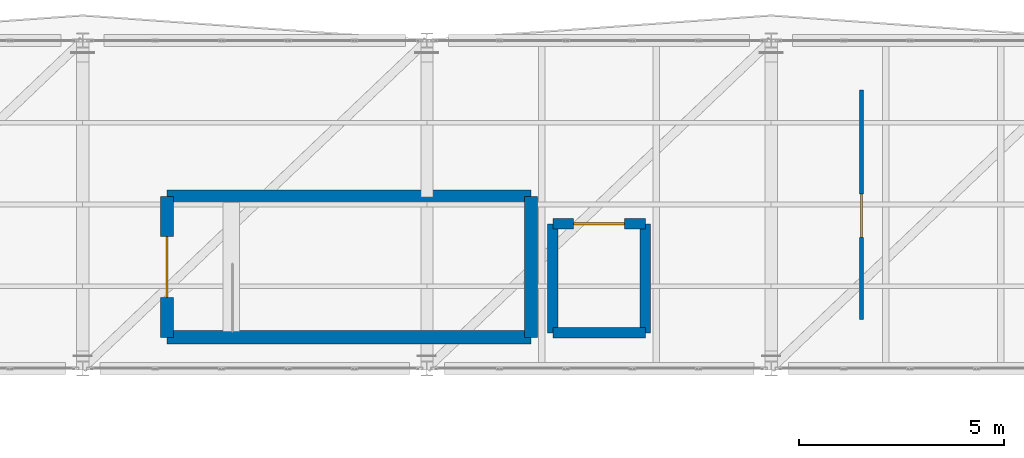
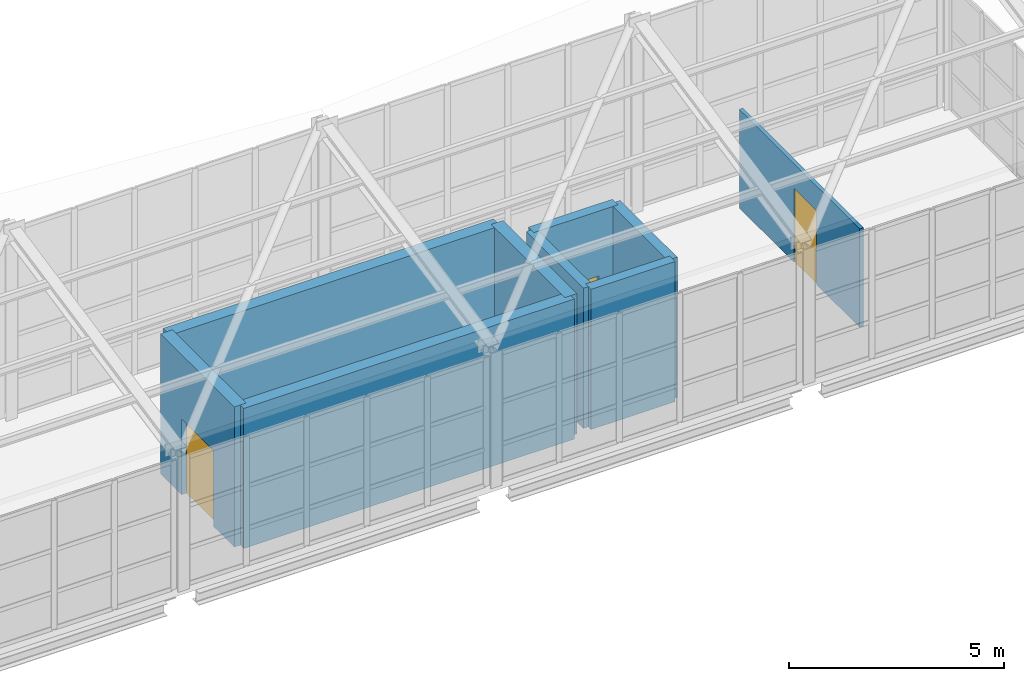
# One storey, part 155 of 177: 9 walls, 3 doors, 3 openings.
"""IFC4 building model written with IfcOpenShell, lengths in metres."""

from ifc_helpers import new_model, si_unit, direction, frame, frame_2d, origin, place, context, subcontext, project, spatial, rectangle, extrude, material, layer, layer_set, type_object, element, fill, save


model = new_model("IFC4")

# Units and contexts
model_context = context("Model", 3, precision=1e-05, world=origin(), true_north=direction((0.0, 1.0)))
body_context = subcontext(model_context, "Body", "Model", "MODEL_VIEW")
ifc_project = project(units=[si_unit("LENGTHUNIT", "METRE"), si_unit("AREAUNIT", "SQUARE_METRE"), si_unit("VOLUMEUNIT", "CUBIC_METRE"), si_unit("PLANEANGLEUNIT", "RADIAN"), si_unit("MASSUNIT", "GRAM", prefix="KILO"), si_unit("THERMODYNAMICTEMPERATUREUNIT", "KELVIN"), si_unit("POWERUNIT", "WATT")], contexts=[model_context])

# Site, building, storey
site_placement = place(None, origin())
site = spatial("IfcSite", under=ifc_project, at=site_placement, CompositionType="ELEMENT")
building_placement = place(site_placement, origin())
building = spatial("IfcBuilding", under=site, at=building_placement, Name="Mavoryth Pier Ferry Terminal", CompositionType="ELEMENT")
storey_placement = place(building_placement, frame((0.0, 0.0, 5.43994140625)))
storey = spatial("IfcBuildingStorey", under=building, at=storey_placement, Name="L01", CompositionType="ELEMENT", Elevation=5.43994140625)

# Walls
ifc_material_1 = material(Name="Concrete C35/45", Category="concrete")
ifc_layer_1 = layer(ifc_material_1, 0.260009765625, Name="Concrete C35/45", Category="concrete")
ifc_layer_set_1 = layer_set([ifc_layer_1], Name="Concrete C35/45 - CoreWall-LiftShaft-RC260")
wall_type_1 = type_object("IfcWallType", Name="CoreWall-LiftShaft-RC260", PredefinedType="SHEAR", material=ifc_layer_set_1)
wall_1_placement = place(storey_placement, frame((137.469970703125, 106.8701171875, 0.0), z_axis=(0.0, 0.0, 1.0), x_axis=(1.0, 0.0, 0.0)))
element("IfcWall", 1, at=wall_1_placement, inside=storey, type_object=wall_type_1, Name="Interior Wall IW-L01-0129", PredefinedType="SHEAR", context=body_context, shape_type="SweptSolid", body=[
    extrude(rectangle(XDim=2.260009765625, YDim=0.260009765625, at=frame_2d((1.1298828125, 0.0))), origin(), (0.0, 0.0, 1.0), 3.97998046875),
])
for number, where, z_axis, x_axis, name in (
    (2, (139.72998046875, 106.8701171875, 0.0), (0.0, 0.0, 1.0), (0.0, 1.0, 0.0), "Interior Wall IW-L01-0130"),
    (3, (137.469970703125, 109.530029296875, 0.0), (0.0, 0.0, 1.0), (0.0, -1.0, 0.0), "Interior Wall IW-L01-0131"),
):
    element("IfcWall", number, at=place(storey_placement, frame(where, z_axis=z_axis, x_axis=x_axis)), inside=storey, type_object=wall_type_1, Name=name, PredefinedType="SHEAR", context=body_context, shape_type="SweptSolid", body=[
        extrude(rectangle(XDim=2.659912109375, YDim=0.260009765625, at=frame_2d((1.330078125, 0.0))), origin(), (0.0, 0.0, 1.0), 3.97998046875),
    ])

# Wall, opening, door
wall_2_placement = place(storey_placement, frame((137.469970703125, 109.530029296875, 0.0), z_axis=(0.0, 0.0, 1.0), x_axis=(1.0, 0.0, 0.0)))
wall_2 = element("IfcWall", 4, at=wall_2_placement, inside=storey, type_object=wall_type_1, Name="Interior Wall IW-L01-0132", PredefinedType="SHEAR", context=body_context, shape_type="SweptSolid", body=[
    extrude(rectangle(XDim=2.260009765625, YDim=0.260009765625, at=frame_2d((1.1298828125, 0.0))), origin(), (0.0, 0.0, 1.0), 3.97998046875),
])
opening_1_placement = place(wall_2_placement, frame((0.510009765625, 0.0, 0.0)))
opening_1 = element("IfcOpeningElement", 5, at=opening_1_placement, cuts=wall_2, Name="Opening LD01", PredefinedType="OPENING", context=body_context, shape_type="SweptSolid", body=[
    extrude(rectangle(XDim=1.239990234375, YDim=2.139892578125, at=frame_2d((0.6201171875, 1.06982421875))), frame((0.0, 0.139892578125, 0.0), z_axis=(0.0, -1.0, 0.0), x_axis=(1.0, 0.0, 0.0)), (0.0, 0.0, 1.0), 0.280029296875),
])
ifc_material_2 = material(Name="Brushed Stainless Steel Lift Landing Door", Category="steel")
door_type_1 = type_object("IfcDoorType", Name="Door-LiftLanding-1240x2140", OperationType="NOTDEFINED", PredefinedType="DOOR", material=ifc_material_2)
door_1_placement = place(opening_1_placement, origin())
door_1 = element("IfcDoor", 6, at=door_1_placement, inside=storey, type_object=door_type_1, Name="Lift LF07 Landing Door L01", OperationType="DOUBLE_DOOR_SLIDING", OverallHeight=2.139892578125, OverallWidth=1.239990234375, PredefinedType="DOOR", context=body_context, shape_type="SweptSolid", body=[
    extrude(rectangle(XDim=1.239990234375, YDim=2.139892578125, at=frame_2d((0.6201171875, 1.06982421875))), frame((0.0, 0.02490234375, 0.0), z_axis=(0.0, -1.0, 0.0), x_axis=(1.0, 0.0, 0.0)), (0.0, 0.0, 1.0), 0.050048828125),
])
fill(opening_1, door_1)

# Walls
ifc_material_3 = material(Name="Concrete C40/50", Category="concrete")
ifc_layer_2 = layer(ifc_material_3, 0.320068359375, Name="Concrete C40/50", Category="concrete")
ifc_layer_set_2 = layer_set([ifc_layer_2], Name="Concrete C40/50 - CoreWall-Shear-RC320")
wall_type_2 = type_object("IfcWallType", Name="CoreWall-Shear-RC320", PredefinedType="SHEAR", material=ifc_layer_set_2)
for number, where, z_axis, x_axis, name in (
    (7, (128.06005859375, 106.760009765625, 0.0), (0.0, 0.0, 1.0), (1.0, 0.0, 0.0), "Interior Wall IW-L01-0121"),
    (8, (128.06005859375, 110.18994140625, 0.0), (0.0, 0.0, 1.0), (1.0, 0.0, 0.0), "Interior Wall IW-L01-0122"),
):
    element("IfcWall", number, at=place(storey_placement, frame(where, z_axis=z_axis, x_axis=x_axis)), inside=storey, type_object=wall_type_2, Name=name, PredefinedType="SHEAR", context=body_context, shape_type="SweptSolid", body=[
        extrude(rectangle(XDim=8.8798828125, YDim=0.320068359375, at=frame_2d((4.43994140625, 0.0))), origin(), (0.0, 0.0, 1.0), 3.97998046875),
    ])

# Wall, opening, door
wall_3_placement = place(storey_placement, frame((128.06005859375, 110.18994140625, 0.0), z_axis=(0.0, 0.0, 1.0), x_axis=(0.0, -1.0, 0.0)))
wall_3 = element("IfcWall", 9, at=wall_3_placement, inside=storey, type_object=wall_type_2, Name="Interior Wall IW-L01-0123", PredefinedType="SHEAR", context=body_context, shape_type="SweptSolid", body=[
    extrude(rectangle(XDim=3.429931640625, YDim=0.320068359375, at=frame_2d((1.71484375, 0.0))), origin(), (0.0, 0.0, 1.0), 3.97998046875),
])
opening_2_placement = place(wall_3_placement, frame((0.97509765625, 0.0, 0.0)))
opening_2 = element("IfcOpeningElement", 10, at=opening_2_placement, cuts=wall_3, Name="Opening ID01-031", PredefinedType="OPENING", context=body_context, shape_type="SweptSolid", body=[
    extrude(rectangle(XDim=1.47998046875, YDim=2.14990234375, at=frame_2d((0.739990234375, 1.074951171875))), frame((0.0, 0.169921875, 0.0), z_axis=(0.0, -1.0, 0.0), x_axis=(1.0, 0.0, 0.0)), (0.0, 0.0, 1.0), 0.340087890625),
])
ifc_material_4 = material(Name="Painted Galvanised Steel Fire Door", Category="steel")
door_type_2 = type_object("IfcDoorType", Name="Door-StairFire-1480x2150", OperationType="NOTDEFINED", PredefinedType="DOOR", material=ifc_material_4)
door_2_placement = place(opening_2_placement, origin())
door_2 = element("IfcDoor", 11, at=door_2_placement, inside=storey, type_object=door_type_2, Name="Core C3B Stair Exit Door L01", OperationType="SINGLE_SWING_LEFT", OverallHeight=2.14990234375, OverallWidth=1.47998046875, PredefinedType="DOOR", context=body_context, shape_type="SweptSolid", body=[
    extrude(rectangle(XDim=1.47998046875, YDim=2.14990234375, at=frame_2d((0.739990234375, 1.074951171875))), frame((0.0, 0.02490234375, 0.0), z_axis=(0.0, -1.0, 0.0), x_axis=(1.0, 0.0, 0.0)), (0.0, 0.0, 1.0), 0.050048828125),
])
fill(opening_2, door_2)

# Wall
wall_4_placement = place(storey_placement, frame((136.93994140625, 106.760009765625, 0.0), z_axis=(0.0, 0.0, 1.0), x_axis=(0.0, 1.0, 0.0)))
element("IfcWall", 12, at=wall_4_placement, inside=storey, type_object=wall_type_2, Name="Interior Wall IW-L01-0124", PredefinedType="SHEAR", context=body_context, shape_type="SweptSolid", body=[
    extrude(rectangle(XDim=3.429931640625, YDim=0.320068359375, at=frame_2d((1.71484375, 0.0))), origin(), (0.0, 0.0, 1.0), 3.97998046875),
])

# Wall, opening, door
ifc_material_5 = material(Name="Moisture-Resistant Cement-Board Partition")
ifc_layer_3 = layer(ifc_material_5, 0.10009765625, Name="Moisture-Resistant Cement-Board Partition")
ifc_layer_set_3 = layer_set([ifc_layer_3], Name="Moisture-Resistant Cement-Board Partition - Part-WetArea-100")
wall_type_3 = type_object("IfcWallType", Name="Part-WetArea-100", PredefinedType="PARTITIONING", material=ifc_layer_set_3)
wall_5_placement = place(storey_placement, frame((145.0, 107.199951171875, 0.0), z_axis=(0.0, 0.0, 1.0), x_axis=(0.0, 1.0, 0.0)))
wall_5 = element("IfcWall", 13, at=wall_5_placement, inside=storey, type_object=wall_type_3, Name="Interior Wall IW-L01-0429", PredefinedType="PARTITIONING", context=body_context, shape_type="SweptSolid", body=[
    extrude(rectangle(XDim=5.60009765625, YDim=0.10009765625, at=frame_2d((2.800048828125, 0.0))), origin(), (0.0, 0.0, 1.0), 2.800048828125),
])
opening_3_placement = place(wall_5_placement, frame((2.0, 0.0, 0.0)))
opening_3 = element("IfcOpeningElement", 14, at=opening_3_placement, cuts=wall_5, Name="Opening ID11-097", PredefinedType="OPENING", context=body_context, shape_type="SweptSolid", body=[
    extrude(rectangle(XDim=1.06005859375, YDim=2.10009765625, at=frame_2d((0.530029296875, 1.050048828125))), frame((0.0, 0.06005859375, 0.0), z_axis=(0.0, -1.0, 0.0), x_axis=(1.0, 0.0, 0.0)), (0.0, 0.0, 1.0), 0.1201171875),
])
ifc_material_6 = material(Name="High-Pressure Laminate Accessible Door")
door_type_3 = type_object("IfcDoorType", Name="Door-AccessibleWC-1060x2100", OperationType="NOTDEFINED", PredefinedType="DOOR", material=ifc_material_6)
door_3_placement = place(opening_3_placement, origin())
door_3 = element("IfcDoor", 15, at=door_3_placement, inside=storey, type_object=door_type_3, Name="Boarding Gallery Accessible WC Door", OperationType="SINGLE_SWING_LEFT", OverallHeight=2.10009765625, OverallWidth=1.06005859375, PredefinedType="DOOR", context=body_context, shape_type="SweptSolid", body=[
    extrude(rectangle(XDim=1.06005859375, YDim=2.10009765625, at=frame_2d((0.530029296875, 1.050048828125))), frame((0.0, 0.02490234375, 0.0), z_axis=(0.0, -1.0, 0.0), x_axis=(1.0, 0.0, 0.0)), (0.0, 0.0, 1.0), 0.050048828125),
])
fill(opening_3, door_3)

save(model, "model.ifc")
